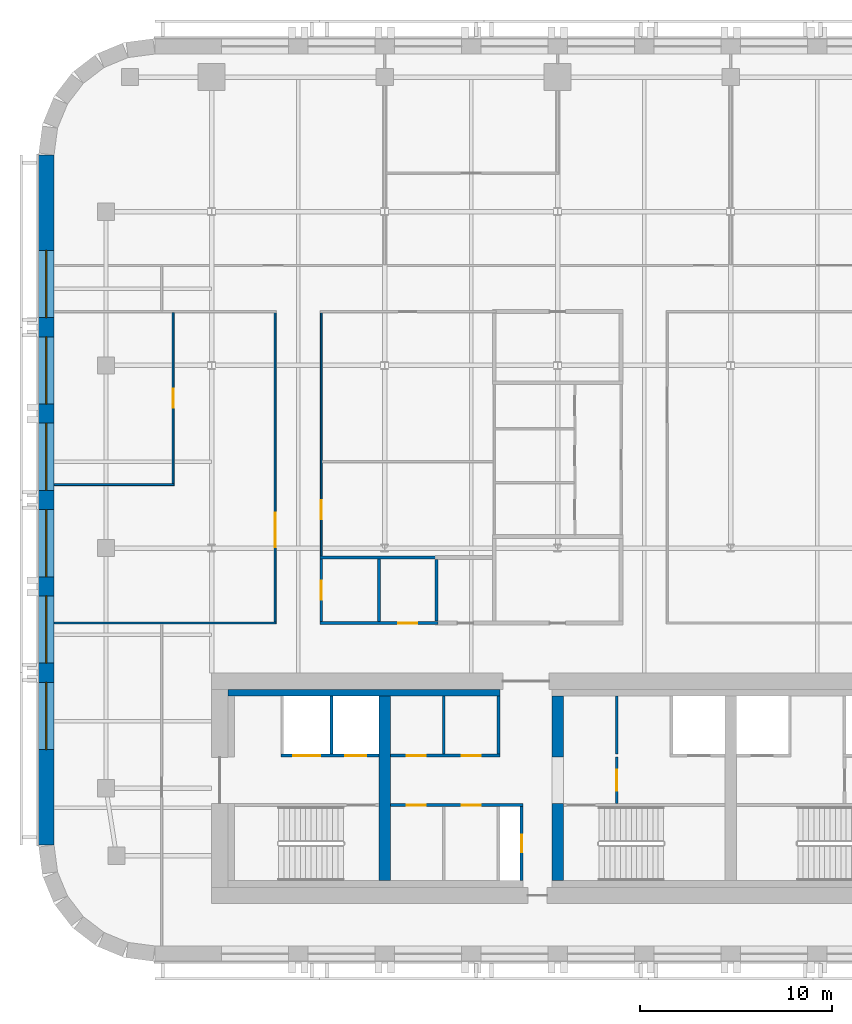
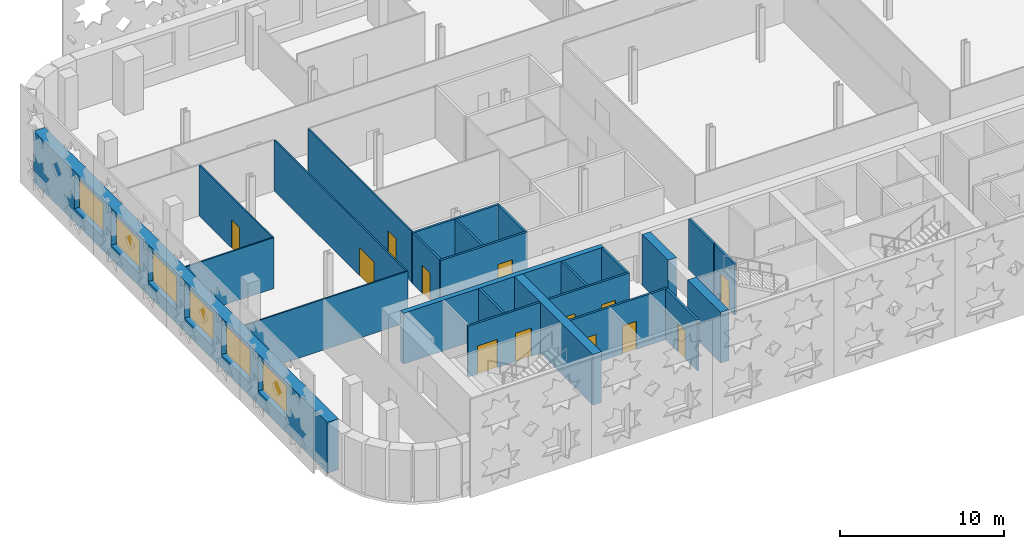
# One storey, part 3 of 13: 24 walls, 13 doors, 6 windows, 19 openings.
"""IFC4 building model written with IfcOpenShell, lengths in metres."""

from ifc_helpers import new_model, si_unit, direction, frame, frame_2d, origin, place, context, subcontext, project, spatial, rectangle, extrude, material, layer, layer_set, type_object, element, fill, save


model = new_model("IFC4")

# Units and contexts
model_context = context("Model", 3, precision=1e-05, world=origin(), true_north=direction((0.0, 1.0)))
body_context = subcontext(model_context, "Body", "Model", "MODEL_VIEW")
ifc_project = project(units=[si_unit("LENGTHUNIT", "METRE"), si_unit("AREAUNIT", "SQUARE_METRE"), si_unit("VOLUMEUNIT", "CUBIC_METRE"), si_unit("PLANEANGLEUNIT", "RADIAN"), si_unit("MASSUNIT", "GRAM", prefix="KILO")], contexts=[model_context])

# Site, building, storey
site_placement = place(None, origin())
site = spatial("IfcSite", under=ifc_project, at=site_placement, CompositionType="ELEMENT")
building_placement = place(site_placement, origin())
building = spatial("IfcBuilding", under=site, at=building_placement, Name="Zellij Exchange Tower", CompositionType="ELEMENT")
storey_placement = place(building_placement, frame((0.0, 0.0, 172.5)))
storey = spatial("IfcBuildingStorey", under=building, at=storey_placement, Name="L39", CompositionType="ELEMENT", Elevation=172.5)

# Walls
ifc_material_1 = material(Name="Concrete C60/75", Category="concrete")
ifc_layer_1 = layer(ifc_material_1, 0.60009765625)
ifc_layer_set_1 = layer_set([ifc_layer_1], Name="Concrete C60/75")
wall_type_1 = type_object("IfcWallType", Name="CORE-CW 600 C60/75", PredefinedType="SHEAR", material=ifc_layer_set_1)
wall_1_placement = place(storey_placement, frame((-18.0, -12.800048828125, 0.0), z_axis=(0.0, 0.0, 1.0), x_axis=(0.0, 1.0, 0.0)))
element("IfcWall", 1, at=wall_1_placement, inside=storey, type_object=wall_type_1, Name="Core cross wall x -18 L39", PredefinedType="SHEAR", context=body_context, shape_type="SweptSolid", body=[
    extrude(rectangle(XDim=9.60009765625, YDim=0.60009765625, at=frame_2d((4.800048828125, 0.0))), origin(), (0.0, 0.0, 1.0), 3.800048828125),
])
wall_2_placement = place(storey_placement, frame((-9.0, -12.800048828125, 0.0), z_axis=(0.0, 0.0, 1.0), x_axis=(0.0, 1.0, 0.0)))
element("IfcWall", 2, at=wall_2_placement, inside=storey, type_object=wall_type_1, Name="Core cross wall pier x -9 a L39", PredefinedType="SHEAR", context=body_context, shape_type="SweptSolid", body=[
    extrude(rectangle(XDim=4.0, YDim=0.60009765625, at=frame_2d((2.0, 0.0))), origin(), (0.0, 0.0, 1.0), 3.800048828125),
])
wall_3_placement = place(storey_placement, frame((-9.0, -6.375, 0.0), z_axis=(0.0, 0.0, 1.0), x_axis=(0.0, 1.0, 0.0)))
element("IfcWall", 3, at=wall_3_placement, inside=storey, type_object=wall_type_1, Name="Core cross wall pier x -9 b L39", PredefinedType="SHEAR", context=body_context, shape_type="SweptSolid", body=[
    extrude(rectangle(XDim=3.175048828125, YDim=0.60009765625, at=frame_2d((1.58740234375, 0.0))), origin(), (0.0, 0.0, 1.0), 3.800048828125),
])
ifc_material_2 = material(Name="Concrete C30/37", Category="concrete")
ifc_layer_2 = layer(ifc_material_2, 0.35009765625)
ifc_layer_set_2 = layer_set([ifc_layer_2], Name="Concrete C30/37")
wall_type_2 = type_object("IfcWallType", Name="CORE-LW 350 C30/37", PredefinedType="SHEAR", material=ifc_layer_set_2)
wall_4_placement = place(storey_placement, frame((-26.14990234375, -3.02490234375, 0.0), z_axis=(0.0, 0.0, 1.0), x_axis=(1.0, 0.0, 0.0)))
element("IfcWall", 4, at=wall_4_placement, inside=storey, type_object=wall_type_2, Name="Core wall lining front.0 L39", PredefinedType="SHEAR", context=body_context, shape_type="SweptSolid", body=[
    extrude(rectangle(XDim=14.14990234375, YDim=0.35009765625, at=frame_2d((7.074951171875, 0.0))), origin(), (0.0, 0.0, 1.0), 3.800048828125),
])

# Wall, opening, door
ifc_material_3 = material(Name="Gypsum shaft wall system")
ifc_layer_3 = layer(ifc_material_3, 0.14990234375)
ifc_layer_set_3 = layer_set([ifc_layer_3], Name="Gypsum shaft wall system")
wall_type_3 = type_object("IfcWallType", Name="CORE-PW 150 Firefighting lobby wall", PredefinedType="PARTITIONING", material=ifc_layer_set_3)
wall_5_placement = place(storey_placement, frame((-5.925048828125, -8.800048828125, 0.0), z_axis=(0.0, 0.0, 1.0), x_axis=(0.0, 1.0, 0.0)))
wall_5 = element("IfcWall", 5, at=wall_5_placement, inside=storey, type_object=wall_type_3, Name="Firefighting lobby wall L39", PredefinedType="PARTITIONING", context=body_context, shape_type="SweptSolid", body=[
    extrude(rectangle(XDim=2.425048828125, YDim=0.14990234375, at=frame_2d((1.21240234375, 0.0))), origin(), (0.0, 0.0, 1.0), 3.800048828125),
])
opening_1_placement = place(wall_5_placement, frame((0.662109375, 0.0, 0.0)))
opening_1 = element("IfcOpeningElement", 6, at=opening_1_placement, cuts=wall_5, Name="Opening CA-22.13", PredefinedType="OPENING", context=body_context, shape_type="SweptSolid", body=[
    extrude(rectangle(XDim=1.10009765625, YDim=2.10009765625, at=frame_2d((0.550048828125, 1.050048828125))), frame((0.0, 0.0869140625, 0.0), z_axis=(0.0, -1.0, 0.0), x_axis=(1.0, 0.0, 0.0)), (0.0, 0.0, 1.0), 0.173828125),
])
ifc_material_4 = material(Name="Hollow metal fire door")
door_type_1 = type_object("IfcDoorType", Name="CORE-D F Firefighting lobby door 1100x2100 1 HR", OperationType="NOTDEFINED", PredefinedType="DOOR", material=ifc_material_4)
door_1_placement = place(opening_1_placement, origin())
door_1 = element("IfcDoor", 7, at=door_1_placement, inside=storey, type_object=door_type_1, Name="Firefighting lobby door CA-22.13", OperationType="SINGLE_SWING_LEFT", OverallHeight=2.10009765625, OverallWidth=1.10009765625, PredefinedType="DOOR", context=body_context, shape_type="SweptSolid", body=[
    extrude(rectangle(XDim=1.10009765625, YDim=2.10009765625, at=frame_2d((0.550048828125, 1.050048828125))), frame((0.0, 0.02490234375, 0.0), z_axis=(0.0, -1.0, 0.0), x_axis=(1.0, 0.0, 0.0)), (0.0, 0.0, 1.0), 0.050048828125),
])
fill(opening_1, door_1)

# Walls
ifc_material_5 = material(Name="Gypsum board partition")
ifc_layer_4 = layer(ifc_material_5, 0.14990234375)
ifc_layer_set_4 = layer_set([ifc_layer_4], Name="Gypsum board partition")
wall_type_4 = type_object("IfcWallType", Name="CORE-PW 150 Lift lobby wall", PredefinedType="PARTITIONING", material=ifc_layer_set_4)
for number, where, z_axis, x_axis, name in (
    (8, (-12.074951171875, -6.22509765625, 0.0), (0.0, 0.0, 1.0), (0.0, 1.0, 0.0), "Lift lobby wall L39"),
    (9, (-14.925048828125, -6.22509765625, 0.0), (0.0, 0.0, 1.0), (0.0, 1.0, 0.0), "Lift lobby wall L39"),
    (10, (-5.925048828125, -6.22509765625, 0.0), (0.0, 0.0, 1.0), (0.0, 1.0, 0.0), "Lift lobby wall L39"),
):
    element("IfcWall", number, at=place(storey_placement, frame(where, z_axis=z_axis, x_axis=x_axis)), inside=storey, type_object=wall_type_4, Name=name, PredefinedType="PARTITIONING", context=body_context, shape_type="SweptSolid", body=[
        extrude(rectangle(XDim=3.025146484375, YDim=0.14990234375, at=frame_2d((1.5126953125, 0.0))), origin(), (0.0, 0.0, 1.0), 3.800048828125),
    ])

# Wall, opening, door
wall_6_placement = place(storey_placement, frame((-10.875, -12.800048828125, 0.0), z_axis=(0.0, 0.0, 1.0), x_axis=(0.0, 1.0, 0.0)))
wall_6 = element("IfcWall", 11, at=wall_6_placement, inside=storey, type_object=wall_type_4, Name="Lift lobby wall L39", PredefinedType="PARTITIONING", context=body_context, shape_type="SweptSolid", body=[
    extrude(rectangle(XDim=3.85009765625, YDim=0.14990234375, at=frame_2d((1.925048828125, 0.0))), origin(), (0.0, 0.0, 1.0), 3.800048828125),
])
opening_2_placement = place(wall_6_placement, frame((1.47509765625, 0.0, 0.0)))
opening_2 = element("IfcOpeningElement", 12, at=opening_2_placement, cuts=wall_6, Name="Opening CA-22.09", PredefinedType="OPENING", context=body_context, shape_type="SweptSolid", body=[
    extrude(rectangle(XDim=0.89990234375, YDim=2.10009765625, at=frame_2d((0.449951171875, 1.050048828125))), frame((0.0, 0.0869140625, 0.0), z_axis=(0.0, -1.0, 0.0), x_axis=(1.0, 0.0, 0.0)), (0.0, 0.0, 1.0), 0.173828125),
])
door_type_2 = type_object("IfcDoorType", Name="CORE-D RD Riser door 900x2100 1.5 HR", OperationType="NOTDEFINED", PredefinedType="DOOR", material=ifc_material_4)
door_2_placement = place(opening_2_placement, origin())
door_2 = element("IfcDoor", 13, at=door_2_placement, inside=storey, type_object=door_type_2, Name="Riser door CA-22.09", OperationType="SINGLE_SWING_RIGHT", OverallHeight=2.10009765625, OverallWidth=0.89990234375, PredefinedType="DOOR", context=body_context, shape_type="SweptSolid", body=[
    extrude(rectangle(XDim=0.89990234375, YDim=2.10009765625, at=frame_2d((0.449951171875, 1.050048828125))), frame((0.0, 0.02490234375, 0.0), z_axis=(0.0, -1.0, 0.0), x_axis=(1.0, 0.0, 0.0)), (0.0, 0.0, 1.0), 0.050048828125),
])
fill(opening_2, door_2)

# Wall, openings, doors
wall_7_placement = place(storey_placement, frame((-17.699951171875, -6.300048828125, 0.0), z_axis=(0.0, 0.0, 1.0), x_axis=(1.0, 0.0, 0.0)))
wall_7 = element("IfcWall", 14, at=wall_7_placement, inside=storey, type_object=wall_type_4, Name="Lift lobby wall L39", PredefinedType="PARTITIONING", context=body_context, shape_type="SweptSolid", body=[
    extrude(rectangle(XDim=5.699951171875, YDim=0.14990234375, at=frame_2d((2.85009765625, 0.0))), origin(), (0.0, 0.0, 1.0), 3.800048828125),
])
opening_3_placement = place(wall_7_placement, frame((0.85009765625, 0.0, 0.0)))
opening_3 = element("IfcOpeningElement", 15, at=opening_3_placement, cuts=wall_7, Name="Opening CA-22.06", PredefinedType="OPENING", context=body_context, shape_type="SweptSolid", body=[
    extrude(rectangle(XDim=1.0, YDim=2.10009765625, at=frame_2d((0.5, 1.050048828125))), frame((0.0, 0.0869140625, 0.0), z_axis=(0.0, -1.0, 0.0), x_axis=(1.0, 0.0, 0.0)), (0.0, 0.0, 1.0), 0.173828125),
])
opening_4_placement = place(wall_7_placement, frame((3.699951171875, 0.0, 0.0)))
opening_4 = element("IfcOpeningElement", 16, at=opening_4_placement, cuts=wall_7, Name="Opening CA-22.08", PredefinedType="OPENING", context=body_context, shape_type="SweptSolid", body=[
    extrude(rectangle(XDim=1.0, YDim=2.10009765625, at=frame_2d((0.5, 1.050048828125))), frame((0.0, 0.0869140625, 0.0), z_axis=(0.0, -1.0, 0.0), x_axis=(1.0, 0.0, 0.0)), (0.0, 0.0, 1.0), 0.173828125),
])
door_type_3 = type_object("IfcDoorType", Name="CORE-D CD Core room door 1000x2100 1 HR", OperationType="NOTDEFINED", PredefinedType="DOOR", material=ifc_material_4)
door_3_placement = place(opening_3_placement, origin())
door_3 = element("IfcDoor", 17, at=door_3_placement, inside=storey, type_object=door_type_3, Name="Core room door CA-22.06", OperationType="SINGLE_SWING_LEFT", OverallHeight=2.10009765625, OverallWidth=1.0, PredefinedType="DOOR", context=body_context, shape_type="SweptSolid", body=[
    extrude(rectangle(XDim=1.0, YDim=2.10009765625, at=frame_2d((0.5, 1.050048828125))), frame((0.0, 0.02490234375, 0.0), z_axis=(0.0, -1.0, 0.0), x_axis=(1.0, 0.0, 0.0)), (0.0, 0.0, 1.0), 0.050048828125),
])
fill(opening_3, door_3)
door_4_placement = place(opening_4_placement, origin())
door_4 = element("IfcDoor", 18, at=door_4_placement, inside=storey, type_object=door_type_3, Name="Core room door CA-22.08", OperationType="SINGLE_SWING_RIGHT", OverallHeight=2.10009765625, OverallWidth=1.0, PredefinedType="DOOR", context=body_context, shape_type="SweptSolid", body=[
    extrude(rectangle(XDim=1.0, YDim=2.10009765625, at=frame_2d((0.5, 1.050048828125))), frame((0.0, 0.02490234375, 0.0), z_axis=(0.0, -1.0, 0.0), x_axis=(1.0, 0.0, 0.0)), (0.0, 0.0, 1.0), 0.050048828125),
])
fill(opening_4, door_4)

wall_8_placement = place(storey_placement, frame((-17.699951171875, -8.875, 0.0), z_axis=(0.0, 0.0, 1.0), x_axis=(1.0, 0.0, 0.0)))
wall_8 = element("IfcWall", 19, at=wall_8_placement, inside=storey, type_object=wall_type_4, Name="Lift lobby wall L39", PredefinedType="PARTITIONING", context=body_context, shape_type="SweptSolid", body=[
    extrude(rectangle(XDim=6.89990234375, YDim=0.14990234375, at=frame_2d((3.449951171875, 0.0))), origin(), (0.0, 0.0, 1.0), 3.800048828125),
])
opening_5_placement = place(wall_8_placement, frame((0.85009765625, 0.0, 0.0)))
opening_5 = element("IfcOpeningElement", 20, at=opening_5_placement, cuts=wall_8, Name="Opening CA-22.05", PredefinedType="OPENING", context=body_context, shape_type="SweptSolid", body=[
    extrude(rectangle(XDim=1.0, YDim=2.10009765625, at=frame_2d((0.5, 1.050048828125))), frame((0.0, 0.0869140625, 0.0), z_axis=(0.0, -1.0, 0.0), x_axis=(1.0, 0.0, 0.0)), (0.0, 0.0, 1.0), 0.173828125),
])
opening_6_placement = place(wall_8_placement, frame((3.699951171875, 0.0, 0.0)))
opening_6 = element("IfcOpeningElement", 21, at=opening_6_placement, cuts=wall_8, Name="Opening CA-22.07", PredefinedType="OPENING", context=body_context, shape_type="SweptSolid", body=[
    extrude(rectangle(XDim=1.0, YDim=2.10009765625, at=frame_2d((0.5, 1.050048828125))), frame((0.0, 0.0869140625, 0.0), z_axis=(0.0, -1.0, 0.0), x_axis=(1.0, 0.0, 0.0)), (0.0, 0.0, 1.0), 0.173828125),
])
door_5_placement = place(opening_5_placement, origin())
door_5 = element("IfcDoor", 22, at=door_5_placement, inside=storey, type_object=door_type_3, Name="Core room door CA-22.05", OperationType="SINGLE_SWING_RIGHT", OverallHeight=2.10009765625, OverallWidth=1.0, PredefinedType="DOOR", context=body_context, shape_type="SweptSolid", body=[
    extrude(rectangle(XDim=1.0, YDim=2.10009765625, at=frame_2d((0.5, 1.050048828125))), frame((0.0, 0.02490234375, 0.0), z_axis=(0.0, -1.0, 0.0), x_axis=(1.0, 0.0, 0.0)), (0.0, 0.0, 1.0), 0.050048828125),
])
fill(opening_5, door_5)
door_6_placement = place(opening_6_placement, origin())
door_6 = element("IfcDoor", 23, at=door_6_placement, inside=storey, type_object=door_type_3, Name="Core room door CA-22.07", OperationType="SINGLE_SWING_LEFT", OverallHeight=2.10009765625, OverallWidth=1.0, PredefinedType="DOOR", context=body_context, shape_type="SweptSolid", body=[
    extrude(rectangle(XDim=1.0, YDim=2.10009765625, at=frame_2d((0.5, 1.050048828125))), frame((0.0, 0.02490234375, 0.0), z_axis=(0.0, -1.0, 0.0), x_axis=(1.0, 0.0, 0.0)), (0.0, 0.0, 1.0), 0.050048828125),
])
fill(opening_6, door_6)

# Wall
ifc_layer_5 = layer(ifc_material_3, 0.14990234375)
ifc_layer_set_5 = layer_set([ifc_layer_5], Name="Gypsum shaft wall system")
wall_type_5 = type_object("IfcWallType", Name="CORE-PW 150 Lift shaft wall", PredefinedType="PARTITIONING", material=ifc_layer_set_5)
wall_9_placement = place(storey_placement, frame((-20.77490234375, -6.22509765625, 0.0), z_axis=(0.0, 0.0, 1.0), x_axis=(0.0, 1.0, 0.0)))
element("IfcWall", 24, at=wall_9_placement, inside=storey, type_object=wall_type_5, Name="Lift shaft wall L39", PredefinedType="PARTITIONING", context=body_context, shape_type="SweptSolid", body=[
    extrude(rectangle(XDim=3.025146484375, YDim=0.14990234375, at=frame_2d((1.5126953125, 0.0))), origin(), (0.0, 0.0, 1.0), 3.800048828125),
])

# Wall, openings, doors
wall_10_placement = place(storey_placement, frame((-23.39990234375, -6.300048828125, 0.0), z_axis=(0.0, 0.0, 1.0), x_axis=(1.0, 0.0, 0.0)))
wall_10 = element("IfcWall", 25, at=wall_10_placement, inside=storey, type_object=wall_type_5, Name="Lift shaft wall L39", PredefinedType="PARTITIONING", context=body_context, shape_type="SweptSolid", body=[
    extrude(rectangle(XDim=5.099853515625, YDim=0.14990234375, at=frame_2d((2.5498046875, 0.0))), origin(), (0.0, 0.0, 1.0), 3.800048828125),
])
opening_7_placement = place(wall_10_placement, frame((0.64990234375, 0.0, 0.0)))
opening_7 = element("IfcOpeningElement", 26, at=opening_7_placement, cuts=wall_10, Name="Opening CA-22.02", PredefinedType="OPENING", context=body_context, shape_type="SweptSolid", body=[
    extrude(rectangle(XDim=1.39990234375, YDim=2.10009765625, at=frame_2d((0.699951171875, 1.050048828125))), frame((0.0, 0.0869140625, 0.0), z_axis=(0.0, -1.0, 0.0), x_axis=(1.0, 0.0, 0.0)), (0.0, 0.0, 1.0), 0.173828125),
])
opening_8_placement = place(wall_10_placement, frame((3.35009765625, 0.0, 0.0)))
opening_8 = element("IfcOpeningElement", 27, at=opening_8_placement, cuts=wall_10, Name="Opening CA-22.03", PredefinedType="OPENING", context=body_context, shape_type="SweptSolid", body=[
    extrude(rectangle(XDim=1.10009765625, YDim=2.10009765625, at=frame_2d((0.550048828125, 1.050048828125))), frame((0.0, 0.0869140625, 0.0), z_axis=(0.0, -1.0, 0.0), x_axis=(1.0, 0.0, 0.0)), (0.0, 0.0, 1.0), 0.173828125),
])
door_type_4 = type_object("IfcDoorType", Name="CORE-D LD Lift landing door 1100x2100 1.5 HR", OperationType="NOTDEFINED", PredefinedType="DOOR", material=ifc_material_4)
door_7_placement = place(opening_8_placement, origin())
door_7 = element("IfcDoor", 28, at=door_7_placement, inside=storey, type_object=door_type_4, Name="Lift landing door CA-22.03", OperationType="SLIDING_TO_LEFT", OverallHeight=2.10009765625, OverallWidth=1.10009765625, PredefinedType="DOOR", context=body_context, shape_type="SweptSolid", body=[
    extrude(rectangle(XDim=1.10009765625, YDim=2.10009765625, at=frame_2d((0.550048828125, 1.050048828125))), frame((0.0, 0.02490234375, 0.0), z_axis=(0.0, -1.0, 0.0), x_axis=(1.0, 0.0, 0.0)), (0.0, 0.0, 1.0), 0.050048828125),
])
fill(opening_8, door_7)
door_type_5 = type_object("IfcDoorType", Name="CORE-D LD2 Service lift landing door 1400x2100 1.5 HR", OperationType="NOTDEFINED", PredefinedType="DOOR", material=ifc_material_4)
door_8_placement = place(opening_7_placement, origin())
door_8 = element("IfcDoor", 29, at=door_8_placement, inside=storey, type_object=door_type_5, Name="Service lift landing door CA-22.02", OperationType="SLIDING_TO_RIGHT", OverallHeight=2.10009765625, OverallWidth=1.39990234375, PredefinedType="DOOR", context=body_context, shape_type="SweptSolid", body=[
    extrude(rectangle(XDim=1.39990234375, YDim=2.10009765625, at=frame_2d((0.699951171875, 1.050048828125))), frame((0.0, 0.02490234375, 0.0), z_axis=(0.0, -1.0, 0.0), x_axis=(1.0, 0.0, 0.0)), (0.0, 0.0, 1.0), 0.050048828125),
])
fill(opening_7, door_8)

# Wall, openings, windows
ifc_material_6 = material(Name="Precast concrete C40/50", Category="concrete")
ifc_layer_6 = layer(ifc_material_6, 0.800048828125)
ifc_layer_set_6 = layer_set([ifc_layer_6], Name="Precast concrete C40/50")
wall_type_6 = type_object("IfcWallType", Name="ENV-EW1 Precast stone-piered wall 800", PredefinedType="SOLIDWALL", material=ifc_layer_set_6)
wall_11_placement = place(storey_placement, frame((-35.60009765625, 24.947509765625, 0.0), z_axis=(0.0, 0.0, 1.0), x_axis=(0.0, -1.0, 0.0)))
wall_11 = element("IfcWall", 30, at=wall_11_placement, inside=storey, type_object=wall_type_6, Name="fac.L39.21", PredefinedType="SOLIDWALL", context=body_context, shape_type="SweptSolid", body=[
    extrude(rectangle(XDim=35.89501953125, YDim=0.800048828125, at=frame_2d((17.947509765625, 0.0))), origin(), (0.0, 0.0, 1.0), 3.800048828125),
])
opening_9_placement = place(wall_11_placement, frame((4.9638671875, 0.0, 1.0)))
opening_9 = element("IfcOpeningElement", 31, at=opening_9_placement, cuts=wall_11, Name="Opening FZ3.31", PredefinedType="OPENING", context=body_context, shape_type="SweptSolid", body=[
    extrude(rectangle(XDim=3.5, YDim=2.5, at=frame_2d((1.75, 1.25))), frame((0.0, 0.412109375, 0.0), z_axis=(0.0, -1.0, 0.0), x_axis=(1.0, 0.0, 0.0)), (0.0, 0.0, 1.0), 0.823974609375),
])
opening_10_placement = place(wall_11_placement, frame((9.45751953125, 0.0, 1.0)))
opening_10 = element("IfcOpeningElement", 32, at=opening_10_placement, cuts=wall_11, Name="Opening FZ3.32", PredefinedType="OPENING", context=body_context, shape_type="SweptSolid", body=[
    extrude(rectangle(XDim=3.5, YDim=2.5, at=frame_2d((1.75, 1.25))), frame((0.0, 0.412109375, 0.0), z_axis=(0.0, -1.0, 0.0), x_axis=(1.0, 0.0, 0.0)), (0.0, 0.0, 1.0), 0.823974609375),
])
opening_11_placement = place(wall_11_placement, frame((13.950927734375, 0.0, 1.0)))
opening_11 = element("IfcOpeningElement", 33, at=opening_11_placement, cuts=wall_11, Name="Opening FZ3.33", PredefinedType="OPENING", context=body_context, shape_type="SweptSolid", body=[
    extrude(rectangle(XDim=3.5, YDim=2.5, at=frame_2d((1.75, 1.25))), frame((0.0, 0.412109375, 0.0), z_axis=(0.0, -1.0, 0.0), x_axis=(1.0, 0.0, 0.0)), (0.0, 0.0, 1.0), 0.823974609375),
])
opening_12_placement = place(wall_11_placement, frame((18.4443359375, 0.0, 1.0)))
opening_12 = element("IfcOpeningElement", 34, at=opening_12_placement, cuts=wall_11, Name="Opening FZ3.34", PredefinedType="OPENING", context=body_context, shape_type="SweptSolid", body=[
    extrude(rectangle(XDim=3.5, YDim=2.5, at=frame_2d((1.75, 1.25))), frame((0.0, 0.412109375, 0.0), z_axis=(0.0, -1.0, 0.0), x_axis=(1.0, 0.0, 0.0)), (0.0, 0.0, 1.0), 0.823974609375),
])
opening_13_placement = place(wall_11_placement, frame((22.937744140625, 0.0, 1.0)))
opening_13 = element("IfcOpeningElement", 35, at=opening_13_placement, cuts=wall_11, Name="Opening FZ3.35", PredefinedType="OPENING", context=body_context, shape_type="SweptSolid", body=[
    extrude(rectangle(XDim=3.5, YDim=2.5, at=frame_2d((1.75, 1.25))), frame((0.0, 0.412109375, 0.0), z_axis=(0.0, -1.0, 0.0), x_axis=(1.0, 0.0, 0.0)), (0.0, 0.0, 1.0), 0.823974609375),
])
opening_14_placement = place(wall_11_placement, frame((27.43115234375, 0.0, 1.0)))
opening_14 = element("IfcOpeningElement", 36, at=opening_14_placement, cuts=wall_11, Name="Opening FZ3.36", PredefinedType="OPENING", context=body_context, shape_type="SweptSolid", body=[
    extrude(rectangle(XDim=3.5, YDim=2.5, at=frame_2d((1.75, 1.25))), frame((0.0, 0.412109375, 0.0), z_axis=(0.0, -1.0, 0.0), x_axis=(1.0, 0.0, 0.0)), (0.0, 0.0, 1.0), 0.823974609375),
])
ifc_material_7 = material(Name="Aluminium frame with insulating glass", Category="aluminium")
window_type = type_object("IfcWindowType", Name="ENV-W1 Window 3500x2500", PartitioningType="SINGLE_PANEL", PredefinedType="WINDOW", material=ifc_material_7)
window_1_placement = place(opening_9_placement, origin())
window_1 = element("IfcWindow", 37, at=window_1_placement, inside=storey, type_object=window_type, Name="Window FZ3.31", OverallHeight=2.5, OverallWidth=3.5, PartitioningType="SINGLE_PANEL", PredefinedType="WINDOW", context=body_context, shape_type="SweptSolid", body=[
    extrude(rectangle(XDim=3.5, YDim=2.5, at=frame_2d((1.75, 1.25))), frame((0.0, 0.030029296875, 0.0), z_axis=(0.0, -1.0, 0.0), x_axis=(1.0, 0.0, 0.0)), (0.0, 0.0, 1.0), 0.06005859375),
])
fill(opening_9, window_1)
window_2_placement = place(opening_10_placement, origin())
window_2 = element("IfcWindow", 38, at=window_2_placement, inside=storey, type_object=window_type, Name="Window FZ3.32", OverallHeight=2.5, OverallWidth=3.5, PartitioningType="SINGLE_PANEL", PredefinedType="WINDOW", context=body_context, shape_type="SweptSolid", body=[
    extrude(rectangle(XDim=3.5, YDim=2.5, at=frame_2d((1.75, 1.25))), frame((0.0, 0.030029296875, 0.0), z_axis=(0.0, -1.0, 0.0), x_axis=(1.0, 0.0, 0.0)), (0.0, 0.0, 1.0), 0.06005859375),
])
fill(opening_10, window_2)
window_3_placement = place(opening_11_placement, origin())
window_3 = element("IfcWindow", 39, at=window_3_placement, inside=storey, type_object=window_type, Name="Window FZ3.33", OverallHeight=2.5, OverallWidth=3.5, PartitioningType="SINGLE_PANEL", PredefinedType="WINDOW", context=body_context, shape_type="SweptSolid", body=[
    extrude(rectangle(XDim=3.5, YDim=2.5, at=frame_2d((1.75, 1.25))), frame((0.0, 0.030029296875, 0.0), z_axis=(0.0, -1.0, 0.0), x_axis=(1.0, 0.0, 0.0)), (0.0, 0.0, 1.0), 0.06005859375),
])
fill(opening_11, window_3)
window_4_placement = place(opening_12_placement, origin())
window_4 = element("IfcWindow", 40, at=window_4_placement, inside=storey, type_object=window_type, Name="Window FZ3.34", OverallHeight=2.5, OverallWidth=3.5, PartitioningType="SINGLE_PANEL", PredefinedType="WINDOW", context=body_context, shape_type="SweptSolid", body=[
    extrude(rectangle(XDim=3.5, YDim=2.5, at=frame_2d((1.75, 1.25))), frame((0.0, 0.030029296875, 0.0), z_axis=(0.0, -1.0, 0.0), x_axis=(1.0, 0.0, 0.0)), (0.0, 0.0, 1.0), 0.06005859375),
])
fill(opening_12, window_4)
window_5_placement = place(opening_13_placement, origin())
window_5 = element("IfcWindow", 41, at=window_5_placement, inside=storey, type_object=window_type, Name="Window FZ3.35", OverallHeight=2.5, OverallWidth=3.5, PartitioningType="SINGLE_PANEL", PredefinedType="WINDOW", context=body_context, shape_type="SweptSolid", body=[
    extrude(rectangle(XDim=3.5, YDim=2.5, at=frame_2d((1.75, 1.25))), frame((0.0, 0.030029296875, 0.0), z_axis=(0.0, -1.0, 0.0), x_axis=(1.0, 0.0, 0.0)), (0.0, 0.0, 1.0), 0.06005859375),
])
fill(opening_13, window_5)
window_6_placement = place(opening_14_placement, origin())
window_6 = element("IfcWindow", 42, at=window_6_placement, inside=storey, type_object=window_type, Name="Window FZ3.36", OverallHeight=2.5, OverallWidth=3.5, PartitioningType="SINGLE_PANEL", PredefinedType="WINDOW", context=body_context, shape_type="SweptSolid", body=[
    extrude(rectangle(XDim=3.5, YDim=2.5, at=frame_2d((1.75, 1.25))), frame((0.0, 0.030029296875, 0.0), z_axis=(0.0, -1.0, 0.0), x_axis=(1.0, 0.0, 0.0)), (0.0, 0.0, 1.0), 0.06005859375),
])
fill(opening_14, window_6)

# Wall
ifc_material_8 = material(Name="Gypsum board partition on steel studs", Category="steel")
ifc_layer_7 = layer(ifc_material_8, 0.10009765625)
ifc_layer_set_7 = layer_set([ifc_layer_7], Name="Gypsum board partition on steel studs")
wall_type_7 = type_object("IfcWallType", Name="FIT-PARTITION-100", PredefinedType="PARTITIONING", material=ifc_layer_set_7)
wall_12_placement = place(storey_placement, frame((-35.199951171875, 0.60009765625, 0.0), z_axis=(0.0, 0.0, 1.0), x_axis=(1.0, 0.0, 0.0)))
element("IfcWall", 43, at=wall_12_placement, inside=storey, type_object=wall_type_7, Name="FIT-PARTITION-100 003", PredefinedType="PARTITIONING", context=body_context, shape_type="SweptSolid", body=[
    extrude(rectangle(XDim=11.550048828125, YDim=0.10009765625, at=frame_2d((5.77490234375, 0.0))), origin(), (0.0, 0.0, 1.0), 3.800048828125),
])

# Wall, opening, door
wall_13_placement = place(storey_placement, frame((-23.699951171875, 0.64990234375, 0.0), z_axis=(0.0, 0.0, 1.0), x_axis=(0.0, 1.0, 0.0)))
wall_13 = element("IfcWall", 44, at=wall_13_placement, inside=storey, type_object=wall_type_7, Name="FIT-PARTITION-100 004", PredefinedType="PARTITIONING", context=body_context, shape_type="SweptSolid", body=[
    extrude(rectangle(XDim=16.10009765625, YDim=0.10009765625, at=frame_2d((8.050048828125, 0.0))), origin(), (0.0, 0.0, 1.0), 3.800048828125),
])
opening_15_placement = place(wall_13_placement, frame((3.89990234375, 0.0, 0.0)))
opening_15 = element("IfcOpeningElement", 45, at=opening_15_placement, cuts=wall_13, Name="Opening O3A.07", PredefinedType="OPENING", context=body_context, shape_type="SweptSolid", body=[
    extrude(rectangle(XDim=1.800048828125, YDim=2.10009765625, at=frame_2d((0.89990234375, 1.050048828125))), frame((0.0, 0.06201171875, 0.0), z_axis=(0.0, -1.0, 0.0), x_axis=(1.0, 0.0, 0.0)), (0.0, 0.0, 1.0), 0.1240234375),
])
ifc_material_9 = material(Name="Timber door set", Category="wood")
door_type_6 = type_object("IfcDoorType", Name="FIT-D3-DOUBLE-1800X2100", OperationType="DOUBLE_DOOR_SINGLE_SWING", PredefinedType="DOOR", material=ifc_material_9)
door_9_placement = place(opening_15_placement, origin())
door_9 = element("IfcDoor", 46, at=door_9_placement, inside=storey, type_object=door_type_6, Name="Door O3A.07", OperationType="DOUBLE_DOOR_SINGLE_SWING", OverallHeight=2.10009765625, OverallWidth=1.800048828125, PredefinedType="DOOR", context=body_context, shape_type="SweptSolid", body=[
    extrude(rectangle(XDim=1.800048828125, YDim=2.10009765625, at=frame_2d((0.89990234375, 1.050048828125))), frame((0.0, 0.02490234375, 0.0), z_axis=(0.0, -1.0, 0.0), x_axis=(1.0, 0.0, 0.0)), (0.0, 0.0, 1.0), 0.050048828125),
])
fill(opening_15, door_9)

wall_14_placement = place(storey_placement, frame((-21.300048828125, 4.074951171875, 0.0), z_axis=(0.0, 0.0, 1.0), x_axis=(0.0, 1.0, 0.0)))
wall_14 = element("IfcWall", 47, at=wall_14_placement, inside=storey, type_object=wall_type_7, Name="FIT-PARTITION-100 018", PredefinedType="PARTITIONING", context=body_context, shape_type="SweptSolid", body=[
    extrude(rectangle(XDim=12.675048828125, YDim=0.10009765625, at=frame_2d((6.33740234375, 0.0))), origin(), (0.0, 0.0, 1.0), 3.800048828125),
])
opening_16_placement = place(wall_14_placement, frame((1.925048828125, 0.0, 0.0)))
opening_16 = element("IfcOpeningElement", 48, at=opening_16_placement, cuts=wall_14, Name="Opening O3A.09", PredefinedType="OPENING", context=body_context, shape_type="SweptSolid", body=[
    extrude(rectangle(XDim=1.0, YDim=2.10009765625, at=frame_2d((0.5, 1.050048828125))), frame((0.0, 0.06201171875, 0.0), z_axis=(0.0, -1.0, 0.0), x_axis=(1.0, 0.0, 0.0)), (0.0, 0.0, 1.0), 0.1240234375),
])
door_type_7 = type_object("IfcDoorType", Name="FIT-D2-WIDE-1000X2100", OperationType="SINGLE_SWING_LEFT", PredefinedType="DOOR", material=ifc_material_9)
door_10_placement = place(opening_16_placement, origin())
door_10 = element("IfcDoor", 49, at=door_10_placement, inside=storey, type_object=door_type_7, Name="Door O3A.09", OperationType="SINGLE_SWING_LEFT", OverallHeight=2.10009765625, OverallWidth=1.0, PredefinedType="DOOR", context=body_context, shape_type="SweptSolid", body=[
    extrude(rectangle(XDim=1.0, YDim=2.10009765625, at=frame_2d((0.5, 1.050048828125))), frame((0.0, 0.02490234375, 0.0), z_axis=(0.0, -1.0, 0.0), x_axis=(1.0, 0.0, 0.0)), (0.0, 0.0, 1.0), 0.050048828125),
])
fill(opening_16, door_10)

# Wall
wall_15_placement = place(storey_placement, frame((-35.199951171875, 7.800048828125, 0.0), z_axis=(0.0, 0.0, 1.0), x_axis=(1.0, 0.0, 0.0)))
element("IfcWall", 50, at=wall_15_placement, inside=storey, type_object=wall_type_7, Name="FIT-PARTITION-100 024", PredefinedType="PARTITIONING", context=body_context, shape_type="SweptSolid", body=[
    extrude(rectangle(XDim=6.25, YDim=0.10009765625, at=frame_2d((3.125, 0.0))), origin(), (0.0, 0.0, 1.0), 3.800048828125),
])

# Wall, opening, door
wall_16_placement = place(storey_placement, frame((-29.0, 7.85009765625, 0.0), z_axis=(0.0, 0.0, 1.0), x_axis=(0.0, 1.0, 0.0)))
wall_16 = element("IfcWall", 51, at=wall_16_placement, inside=storey, type_object=wall_type_7, Name="FIT-PARTITION-100 025", PredefinedType="PARTITIONING", context=body_context, shape_type="SweptSolid", body=[
    extrude(rectangle(XDim=8.89990234375, YDim=0.10009765625, at=frame_2d((4.449951171875, 0.0))), origin(), (0.0, 0.0, 1.0), 3.800048828125),
])
opening_17_placement = place(wall_16_placement, frame((3.949951171875, 0.0, 0.0)))
opening_17 = element("IfcOpeningElement", 52, at=opening_17_placement, cuts=wall_16, Name="Opening O3A.15", PredefinedType="OPENING", context=body_context, shape_type="SweptSolid", body=[
    extrude(rectangle(XDim=1.0, YDim=2.10009765625, at=frame_2d((0.5, 1.050048828125))), frame((0.0, 0.06201171875, 0.0), z_axis=(0.0, -1.0, 0.0), x_axis=(1.0, 0.0, 0.0)), (0.0, 0.0, 1.0), 0.1240234375),
])
door_11_placement = place(opening_17_placement, origin())
door_11 = element("IfcDoor", 53, at=door_11_placement, inside=storey, type_object=door_type_7, Name="Door O3A.15", OperationType="SINGLE_SWING_LEFT", OverallHeight=2.10009765625, OverallWidth=1.0, PredefinedType="DOOR", context=body_context, shape_type="SweptSolid", body=[
    extrude(rectangle(XDim=1.0, YDim=2.10009765625, at=frame_2d((0.5, 1.050048828125))), frame((0.0, 0.02490234375, 0.0), z_axis=(0.0, -1.0, 0.0), x_axis=(1.0, 0.0, 0.0)), (0.0, 0.0, 1.0), 0.050048828125),
])
fill(opening_17, door_11)

ifc_material_10 = material(Name="Gypsum board shaft-wall partition", Category="gypsum")
ifc_layer_8 = layer(ifc_material_10, 0.14990234375)
ifc_layer_set_8 = layer_set([ifc_layer_8], Name="Gypsum board shaft-wall partition")
wall_type_8 = type_object("IfcWallType", Name="FIT-PARTITION-150-EI60", PredefinedType="PARTITIONING", material=ifc_layer_set_8)
wall_17_placement = place(storey_placement, frame((-21.375, 0.60009765625, 0.0), z_axis=(0.0, 0.0, 1.0), x_axis=(1.0, 0.0, 0.0)))
wall_17 = element("IfcWall", 54, at=wall_17_placement, inside=storey, type_object=wall_type_8, Name="FIT-PARTITION-150-EI60 005", PredefinedType="PARTITIONING", context=body_context, shape_type="SweptSolid", body=[
    extrude(rectangle(XDim=6.14990234375, YDim=0.14990234375, at=frame_2d((3.074951171875, 0.0))), origin(), (0.0, 0.0, 1.0), 3.800048828125),
])
opening_18_placement = place(wall_17_placement, frame((4.074951171875, 0.0, 0.0)))
opening_18 = element("IfcOpeningElement", 55, at=opening_18_placement, cuts=wall_17, Name="Opening O3A.03", PredefinedType="OPENING", context=body_context, shape_type="SweptSolid", body=[
    extrude(rectangle(XDim=1.0, YDim=2.10009765625, at=frame_2d((0.5, 1.050048828125))), frame((0.0, 0.0869140625, 0.0), z_axis=(0.0, -1.0, 0.0), x_axis=(1.0, 0.0, 0.0)), (0.0, 0.0, 1.0), 0.173828125),
])
ifc_material_11 = material(Name="Steel fire door set", Category="steel")
door_type_8 = type_object("IfcDoorType", Name="FIT-D4-FIRE-1000X2100", OperationType="SINGLE_SWING_LEFT", PredefinedType="DOOR", material=ifc_material_11)
door_12_placement = place(opening_18_placement, origin())
door_12 = element("IfcDoor", 56, at=door_12_placement, inside=storey, type_object=door_type_8, Name="Door O3A.03", OperationType="SINGLE_SWING_LEFT", OverallHeight=2.10009765625, OverallWidth=1.0, PredefinedType="DOOR", context=body_context, shape_type="SweptSolid", body=[
    extrude(rectangle(XDim=1.0, YDim=2.10009765625, at=frame_2d((0.5, 1.050048828125))), frame((0.0, 0.02490234375, 0.0), z_axis=(0.0, -1.0, 0.0), x_axis=(1.0, 0.0, 0.0)), (0.0, 0.0, 1.0), 0.050048828125),
])
fill(opening_18, door_12)

wall_18_placement = place(storey_placement, frame((-21.300048828125, 0.675048828125, 0.0), z_axis=(0.0, 0.0, 1.0), x_axis=(0.0, 1.0, 0.0)))
wall_18 = element("IfcWall", 57, at=wall_18_placement, inside=storey, type_object=wall_type_8, Name="FIT-PARTITION-150-EI60 006", PredefinedType="PARTITIONING", context=body_context, shape_type="SweptSolid", body=[
    extrude(rectangle(XDim=3.25, YDim=0.14990234375, at=frame_2d((1.625, 0.0))), origin(), (0.0, 0.0, 1.0), 3.800048828125),
])
opening_19_placement = place(wall_18_placement, frame((1.125, 0.0, 0.0)))
opening_19 = element("IfcOpeningElement", 58, at=opening_19_placement, cuts=wall_18, Name="Opening O3A.06", PredefinedType="OPENING", context=body_context, shape_type="SweptSolid", body=[
    extrude(rectangle(XDim=1.0, YDim=2.10009765625, at=frame_2d((0.5, 1.050048828125))), frame((0.0, 0.0869140625, 0.0), z_axis=(0.0, -1.0, 0.0), x_axis=(1.0, 0.0, 0.0)), (0.0, 0.0, 1.0), 0.173828125),
])
door_13_placement = place(opening_19_placement, origin())
door_13 = element("IfcDoor", 59, at=door_13_placement, inside=storey, type_object=door_type_8, Name="Door O3A.06", OperationType="SINGLE_SWING_RIGHT", OverallHeight=2.10009765625, OverallWidth=1.0, PredefinedType="DOOR", context=body_context, shape_type="SweptSolid", body=[
    extrude(rectangle(XDim=1.0, YDim=2.10009765625, at=frame_2d((0.5, 1.050048828125))), frame((0.0, 0.02490234375, 0.0), z_axis=(0.0, -1.0, 0.0), x_axis=(1.0, 0.0, 0.0)), (0.0, 0.0, 1.0), 0.050048828125),
])
fill(opening_19, door_13)

# Walls
wall_19_placement = place(storey_placement, frame((-18.300048828125, 0.675048828125, 0.0), z_axis=(0.0, 0.0, 1.0), x_axis=(0.0, 1.0, 0.0)))
element("IfcWall", 60, at=wall_19_placement, inside=storey, type_object=wall_type_8, Name="FIT-PARTITION-150-EI60 007", PredefinedType="PARTITIONING", context=body_context, shape_type="SweptSolid", body=[
    extrude(rectangle(XDim=3.25, YDim=0.14990234375, at=frame_2d((1.625, 0.0))), origin(), (0.0, 0.0, 1.0), 3.800048828125),
])
wall_20_placement = place(storey_placement, frame((-15.300048828125, 0.699951171875, 0.0), z_axis=(0.0, 0.0, 1.0), x_axis=(0.0, 1.0, 0.0)))
element("IfcWall", 61, at=wall_20_placement, inside=storey, type_object=wall_type_8, Name="FIT-PARTITION-150-EI60 009", PredefinedType="PARTITIONING", context=body_context, shape_type="SweptSolid", body=[
    extrude(rectangle(XDim=3.199951171875, YDim=0.14990234375, at=frame_2d((1.60009765625, 0.0))), origin(), (0.0, 0.0, 1.0), 3.800048828125),
])
wall_21_placement = place(storey_placement, frame((-21.375, 4.0, 0.0), z_axis=(0.0, 0.0, 1.0), x_axis=(1.0, 0.0, 0.0)))
element("IfcWall", 62, at=wall_21_placement, inside=storey, type_object=wall_type_8, Name="FIT-PARTITION-150-EI60 017", PredefinedType="PARTITIONING", context=body_context, shape_type="SweptSolid", body=[
    extrude(rectangle(XDim=6.14990234375, YDim=0.14990234375, at=frame_2d((3.074951171875, 0.0))), origin(), (0.0, 0.0, 1.0), 3.800048828125),
])

save(model, "model.ifc")
